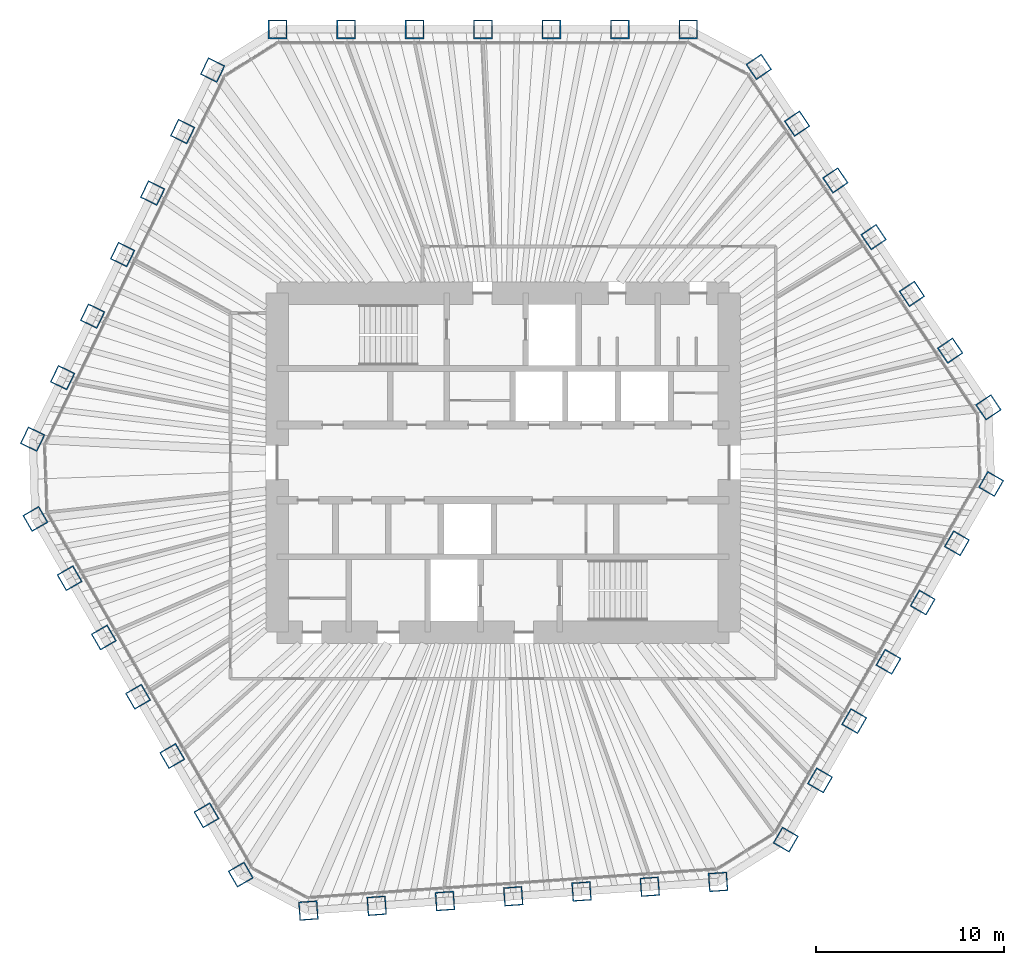
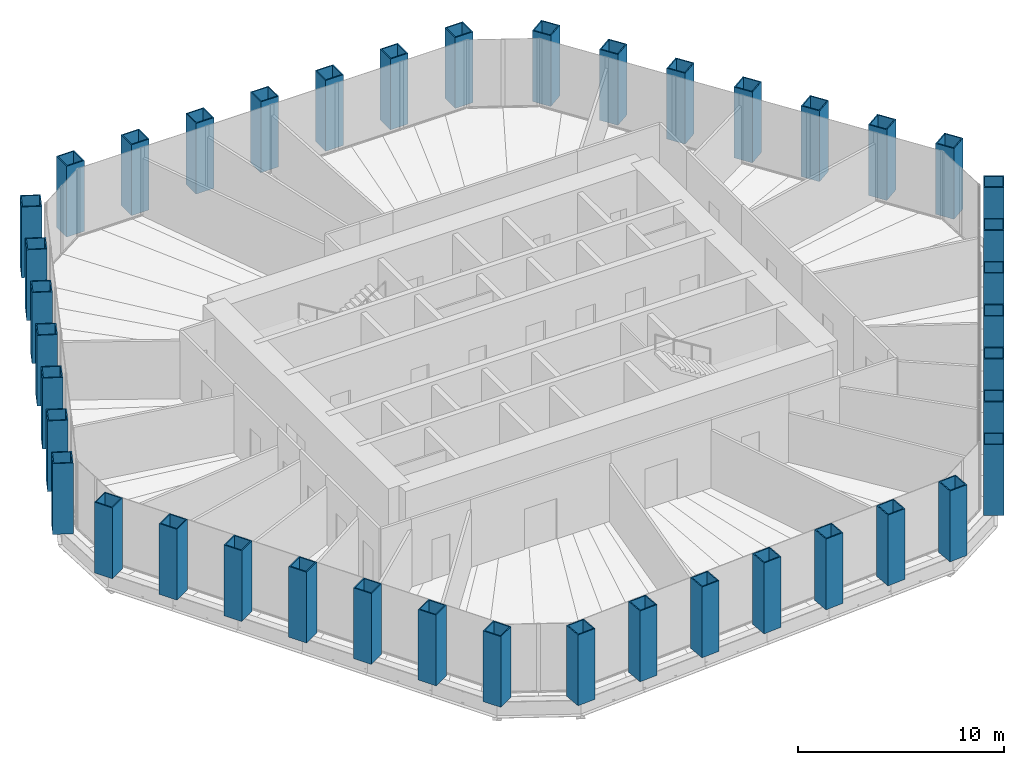
# One storey, part 1 of 14: 42 columns.
"""IFC4 building model written with IfcOpenShell, lengths in metres."""

from ifc_helpers import new_model, si_unit, direction, frame, origin, origin_2d, place, context, subcontext, project, spatial, hollow_rectangle, extrude, material, material_profile, profile_set, type_object, element, save


model = new_model("IFC4")

# Units and contexts
model_context = context("Model", 3, precision=1e-05, world=origin(), true_north=direction((0.0, 1.0)))
body_context = subcontext(model_context, "Body", "Model", "MODEL_VIEW")
ifc_project = project(units=[si_unit("LENGTHUNIT", "METRE"), si_unit("AREAUNIT", "SQUARE_METRE"), si_unit("VOLUMEUNIT", "CUBIC_METRE"), si_unit("PLANEANGLEUNIT", "RADIAN"), si_unit("MASSUNIT", "GRAM", prefix="KILO")], contexts=[model_context])

# Site, building, storey
site_placement = place(None, origin())
site = spatial("IfcSite", under=ifc_project, at=site_placement, CompositionType="ELEMENT")
building_placement = place(site_placement, origin())
building = spatial("IfcBuilding", under=site, at=building_placement, Name="Qingtian Harvest Tower", CompositionType="ELEMENT")
storey_placement = place(building_placement, frame((0.0, 0.0, 235.0)))
storey = spatial("IfcBuildingStorey", under=building, at=storey_placement, Name="L51", CompositionType="ELEMENT", Elevation=235.0)

# Columns
ifc_material = material(Name="Steel SM570MC", Category="steel")
ifc_material_profile = material_profile(ifc_material, hollow_rectangle(XDim=1.0, YDim=1.0, WallThickness=0.06005859375, at=origin_2d()), Name="BOX1000x1000x60")
ifc_profile_set = profile_set([ifc_material_profile], Name="Steel SM570MC")
column_type = type_object("IfcColumnType", Name="Tube column TC6 BOX1000x1000x60", PredefinedType="COLUMN", material=ifc_profile_set)
for number, where, z_axis, x_axis, name in (
    (1, (-11.971923828125, 23.0, 0.0), (0.0, 0.0, 1.0), (-1.0, 0.0, 0.0), "Tube column TC6 N0"),
    (2, (-8.33837890625, 23.0, 0.0), (0.0, 0.0, 1.0), (-1.0, 0.0, 0.0), "Tube column TC6 N1"),
    (3, (-4.704833984375, 23.0, 0.0), (0.0, 0.0, 1.0), (-1.0, 0.0, 0.0), "Tube column TC6 N2"),
    (4, (-1.0712890625, 23.0, 0.0), (0.0, 0.0, 1.0), (-1.0, 0.0, 0.0), "Tube column TC6 N3"),
    (5, (2.562255859375, 23.0, 0.0), (0.0, 0.0, 1.0), (-1.0, 0.0, 0.0), "Tube column TC6 N4"),
    (6, (6.19580078125, 23.0, 0.0), (0.0, 0.0, 1.0), (-1.0, 0.0, 0.0), "Tube column TC6 N5"),
    (7, (9.829345703125, 23.0, 0.0), (0.0, 0.0, 1.0), (-1.0, 0.0, 0.0), "Tube column TC6 N6"),
    (8, (13.5712890625, 21.01025390625, 0.0), (0.0, 0.0, 1.0), (-0.559192903471, 0.829037572555, 0.0), "Tube column TC6 NE0"),
    (9, (15.603271484375, 17.998046875, 0.0), (0.0, 0.0, 1.0), (-0.559192903471, 0.829037572555, 0.0), "Tube column TC6 NE1"),
    (10, (17.635009765625, 14.985595703125, 0.0), (0.0, 0.0, 1.0), (-0.559192903471, 0.829037572555, 0.0), "Tube column TC6 NE2"),
    (11, (19.6669921875, 11.97314453125, 0.0), (0.0, 0.0, 1.0), (-0.559192903471, 0.829037572555, 0.0), "Tube column TC6 NE3"),
    (12, (21.69873046875, 8.9609375, 0.0), (0.0, 0.0, 1.0), (-0.559192903471, 0.829037572555, 0.0), "Tube column TC6 NE4"),
    (13, (23.730712890625, 5.948486328125, 0.0), (0.0, 0.0, 1.0), (-0.559192903471, 0.829037572555, 0.0), "Tube column TC6 NE5"),
    (14, (25.762451171875, 2.936279296875, 0.0), (0.0, 0.0, 1.0), (-0.559192903471, 0.829037572555, 0.0), "Tube column TC6 NE6"),
    (15, (25.904541015625, -1.1318359375, 0.0), (0.0, 0.0, 1.0), (0.5, 0.866025403784, 0.0), "Tube column TC6 SE0"),
    (16, (24.087890625, -4.27880859375, 0.0), (0.0, 0.0, 1.0), (0.5, 0.866025403784, 0.0), "Tube column TC6 SE1"),
    (17, (22.27099609375, -7.425537109375, 0.0), (0.0, 0.0, 1.0), (0.5, 0.866025403784, 0.0), "Tube column TC6 SE2"),
    (18, (20.454345703125, -10.572265625, 0.0), (0.0, 0.0, 1.0), (0.5, 0.866025403784, 0.0), "Tube column TC6 SE3"),
    (19, (18.637451171875, -13.718994140625, 0.0), (0.0, 0.0, 1.0), (0.5, 0.866025403784, 0.0), "Tube column TC6 SE4"),
    (20, (16.82080078125, -16.86572265625, 0.0), (0.0, 0.0, 1.0), (0.5, 0.866025403784, 0.0), "Tube column TC6 SE5"),
    (21, (15.00390625, -20.012451171875, 0.0), (0.0, 0.0, 1.0), (0.5, 0.866025403784, 0.0), "Tube column TC6 SE6"),
    (22, (11.40966796875, -22.25830078125, 0.0), (0.0, 0.0, 1.0), (0.99756405026, 0.069756473744, 0.0), "Tube column TC6 S0"),
    (23, (7.78515625, -22.51171875, 0.0), (0.0, 0.0, 1.0), (0.99756405026, 0.069756473744, 0.0), "Tube column TC6 S1"),
    (24, (4.160400390625, -22.76513671875, 0.0), (0.0, 0.0, 1.0), (0.99756405026, 0.069756473744, 0.0), "Tube column TC6 S2"),
    (25, (0.53564453125, -23.018798828125, 0.0), (0.0, 0.0, 1.0), (0.99756405026, 0.069756473744, 0.0), "Tube column TC6 S3"),
    (26, (-3.089111328125, -23.272216796875, 0.0), (0.0, 0.0, 1.0), (0.99756405026, 0.069756473744, 0.0), "Tube column TC6 S4"),
    (27, (-6.713623046875, -23.525634765625, 0.0), (0.0, 0.0, 1.0), (0.99756405026, 0.069756473744, 0.0), "Tube column TC6 S5"),
    (28, (-10.33837890625, -23.779052734375, 0.0), (0.0, 0.0, 1.0), (0.99756405026, 0.069756473744, 0.0), "Tube column TC6 S6"),
    (29, (-13.9326171875, -21.8681640625, 0.0), (0.0, 0.0, 1.0), (0.5, -0.866025403784, 0.0), "Tube column TC6 SW0"),
    (30, (-15.749267578125, -18.72119140625, 0.0), (0.0, 0.0, 1.0), (0.5, -0.866025403784, 0.0), "Tube column TC6 SW1"),
    (31, (-17.566162109375, -15.574462890625, 0.0), (0.0, 0.0, 1.0), (0.5, -0.866025403784, 0.0), "Tube column TC6 SW2"),
    (32, (-19.3828125, -12.427734375, 0.0), (0.0, 0.0, 1.0), (0.5, -0.866025403784, 0.0), "Tube column TC6 SW3"),
    (33, (-21.19970703125, -9.281005859375, 0.0), (0.0, 0.0, 1.0), (0.5, -0.866025403784, 0.0), "Tube column TC6 SW4"),
    (34, (-23.016357421875, -6.13427734375, 0.0), (0.0, 0.0, 1.0), (0.5, -0.866025403784, 0.0), "Tube column TC6 SW5"),
    (35, (-24.833251953125, -2.987548828125, 0.0), (0.0, 0.0, 1.0), (0.5, -0.866025403784, 0.0), "Tube column TC6 SW6"),
    (36, (-24.981201171875, 1.248046875, 0.0), (0.0, 0.0, 1.0), (-0.438371146789, -0.898794046299, 0.0), "Tube column TC6 NW0"),
    (37, (-23.388427734375, 4.513916015625, 0.0), (0.0, 0.0, 1.0), (-0.438371146789, -0.898794046299, 0.0), "Tube column TC6 NW1"),
    (38, (-21.79541015625, 7.779541015625, 0.0), (0.0, 0.0, 1.0), (-0.438371146789, -0.898794046299, 0.0), "Tube column TC6 NW2"),
    (39, (-20.20263671875, 11.04541015625, 0.0), (0.0, 0.0, 1.0), (-0.438371146789, -0.898794046299, 0.0), "Tube column TC6 NW3"),
    (40, (-18.60986328125, 14.311279296875, 0.0), (0.0, 0.0, 1.0), (-0.438371146789, -0.898794046299, 0.0), "Tube column TC6 NW4"),
    (41, (-17.016845703125, 17.5771484375, 0.0), (0.0, 0.0, 1.0), (-0.438371146789, -0.898794046299, 0.0), "Tube column TC6 NW5"),
    (42, (-15.424072265625, 20.8427734375, 0.0), (0.0, 0.0, 1.0), (-0.438371146789, -0.898794046299, 0.0), "Tube column TC6 NW6"),
):
    element("IfcColumn", number, at=place(storey_placement, frame(where, z_axis=z_axis, x_axis=x_axis)), inside=storey, type_object=column_type, Name=name, PredefinedType="COLUMN", context=body_context, shape_type="SweptSolid", body=[
        extrude(hollow_rectangle(XDim=1.0, YDim=1.0, WallThickness=0.06005859375, at=origin_2d()), origin(), (0.0, 0.0, 1.0), 4.199951171875),
    ])

save(model, "model.ifc")
